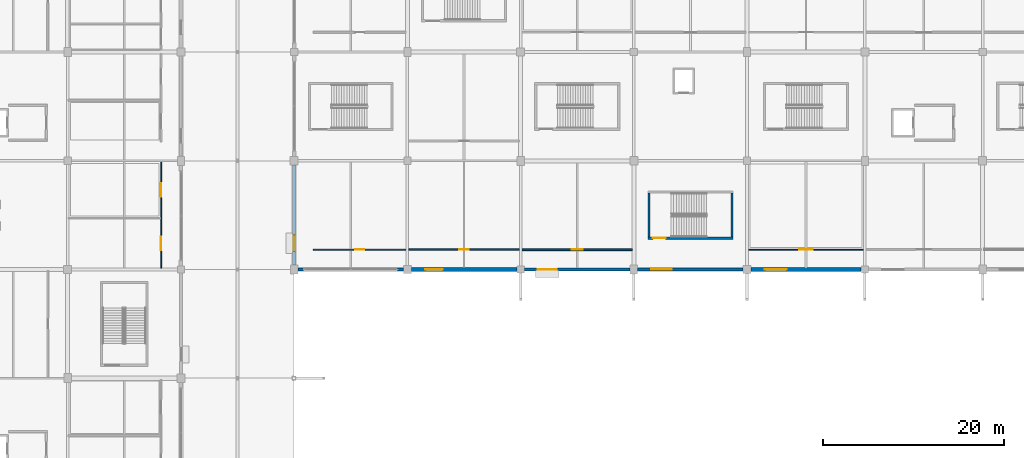
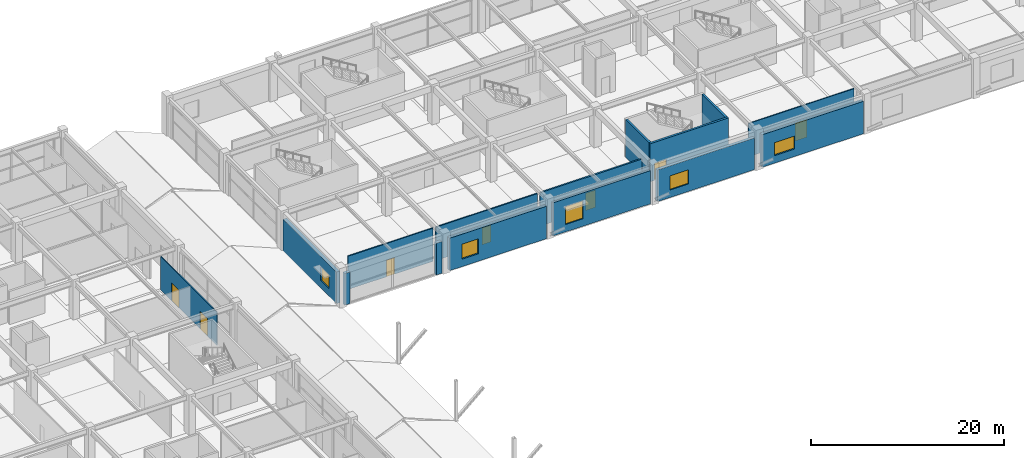
# One storey, part 72 of 116: 15 walls, 7 doors, 5 windows, 12 openings.
"""IFC4 building model written with IfcOpenShell, lengths in metres."""

import ifcopenshell
import ifcopenshell.guid

model = None  # the IFC model being written
_history = None  # IfcOwnerHistory: only IFC2X3 demands one
_inside = {}  # id of a spatial element -> (the spatial element, [elements in it])
_under = {}  # id of a project, library or spatial element -> (it, [spatial elements below it])
_declared = {}  # id of a project -> (the project, [libraries it declares])
_typed = {}  # id of a type object -> (the type object, [elements of that type])
_made_of = {}  # id of a material, layer set ... -> (it, [elements and type objects made of it])


def new_model(schema):
    """Start an empty IFC model of exactly this schema.

    Asked for "IFC4X3", IfcOpenShell would pick the latest addendum, in which some entities
    have other attributes; the version numbers below select the first issue.
    IFC2X3 requires an IfcOwnerHistory on every rooted entity: one is made here for all.
    """
    global model, _history
    if schema == "IFC4X3":
        model = ifcopenshell.file(schema_version=(4, 3, 0, 0))
    else:
        model = ifcopenshell.file(schema=schema)
    _inside.clear()
    _under.clear()
    _declared.clear()
    _typed.clear()
    _made_of.clear()
    _history = None
    if model.schema == "IFC2X3":
        org = make("IfcOrganization", Name="unknown")
        user = make(
            "IfcPersonAndOrganization",
            ThePerson=make("IfcPerson", FamilyName="unknown"),
            TheOrganization=org,
        )
        app = make(
            "IfcApplication",
            ApplicationDeveloper=org,
            Version="unknown",
            ApplicationFullName="unknown",
            ApplicationIdentifier="unknown",
        )
        _history = make(
            "IfcOwnerHistory",
            OwningUser=user,
            OwningApplication=app,
            ChangeAction="ADDED",
            CreationDate=0,
        )
    return model


def make(cls, **values):
    """One entity of the class cls with the attributes given. An attribute that is None is left unset."""
    return model.create_entity(
        cls, **{name: value for name, value in values.items() if value is not None}
    )


def rooted(cls, **values):
    """An entity with a GlobalId (a new one), such as an element, a storey or a relation."""
    return make(cls, GlobalId=ifcopenshell.guid.new(), OwnerHistory=_history, **values)


def si_unit(unit_type, name, prefix=None):
    """IfcSIUnit, for example si_unit("LENGTHUNIT", "METRE", prefix="MILLI")."""
    return make("IfcSIUnit", UnitType=unit_type, Prefix=prefix, Name=name)


def assignment(units):
    """IfcUnitAssignment: the units of a project."""
    return None if units is None else make("IfcUnitAssignment", Units=units)


def point(xyz):
    """IfcCartesianPoint."""
    return None if xyz is None else make("IfcCartesianPoint", Coordinates=xyz)


def direction(xyz):
    """IfcDirection."""
    return None if xyz is None else make("IfcDirection", DirectionRatios=xyz)


def frame(location, z_axis=None, x_axis=None):
    """IfcAxis2Placement3D, a coordinate frame: its origin and axes. An axis left out is left unset."""
    return make(
        "IfcAxis2Placement3D",
        Location=point(location),
        Axis=direction(z_axis),
        RefDirection=direction(x_axis),
    )


def frame_2d(location, x_axis=None):
    """IfcAxis2Placement2D, a coordinate frame in the plane: its origin and x axis."""
    return make(
        "IfcAxis2Placement2D", Location=point(location), RefDirection=direction(x_axis)
    )


def origin():
    """The frame at (0, 0, 0) with its axes left unset."""
    return frame((0.0, 0.0, 0.0))


def place(relative_to, where):
    """IfcLocalPlacement: puts the frame where relative to a parent placement (None: the world)."""
    return make(
        "IfcLocalPlacement", PlacementRelTo=relative_to, RelativePlacement=where
    )


def context(
    kind, dimensions, precision=None, world=None, true_north=None, identifier=None
):
    """IfcGeometricRepresentationContext, for example the 3D "Model" context."""
    return make(
        "IfcGeometricRepresentationContext",
        ContextIdentifier=identifier,
        ContextType=kind,
        CoordinateSpaceDimension=dimensions,
        Precision=precision,
        WorldCoordinateSystem=world,
        TrueNorth=true_north,
    )


def subcontext(parent, identifier, kind, view, scale=None):
    """IfcGeometricRepresentationSubContext, for example "Body" below "Model"."""
    return make(
        "IfcGeometricRepresentationSubContext",
        ContextIdentifier=identifier,
        ContextType=kind,
        ParentContext=parent,
        TargetScale=scale,
        TargetView=view,
    )


def project(units=None, contexts=None):
    """IfcProject with its units and contexts."""
    return rooted(
        "IfcProject",
        Name="project",
        RepresentationContexts=contexts,
        UnitsInContext=assignment(units),
    )


def spatial(cls, under=None, at=None, **own):
    """A site, building, storey or space (cls), placed at a placement, below another one or the project."""
    s = rooted(cls, ObjectPlacement=at, **own)
    if under is not None:
        _under.setdefault(under.id(), (under, []))[1].append(s)
    return s


def profile(cls, at=None, kind="AREA", **sizes):
    """A parametric profile (cls). Its sizes go by their IFC names, for example OverallWidth=200.0."""
    return make(cls, ProfileType=kind, Position=at, **sizes)


def rectangle(**sizes):
    """IfcRectangleProfileDef."""
    return profile("IfcRectangleProfileDef", **sizes)


def extrude(swept, where, along, depth):
    """IfcExtrudedAreaSolid: the profile swept, set in the frame where, extruded along a direction by depth."""
    return make(
        "IfcExtrudedAreaSolid",
        SweptArea=swept,
        Position=where,
        ExtrudedDirection=direction(along),
        Depth=depth,
    )


def shape(context_of_items, identifier, shape_type, items):
    """IfcShapeRepresentation: the items that make up one representation, for example the "Body"."""
    return make(
        "IfcShapeRepresentation",
        ContextOfItems=context_of_items,
        RepresentationIdentifier=identifier,
        RepresentationType=shape_type,
        Items=items,
    )


def material(Name=None, Category=None):
    """IfcMaterial."""
    return make("IfcMaterial", Name=Name, Category=Category)


def layer(
    of_material, thickness, ventilated=None, Name=None, Category=None, Priority=None
):
    """IfcMaterialLayer: one layer of a wall or slab, of a material (None: an air gap)."""
    return make(
        "IfcMaterialLayer",
        Material=of_material,
        LayerThickness=thickness,
        IsVentilated=ventilated,
        Name=Name,
        Category=Category,
        Priority=Priority,
    )


def layer_set(layers, Name=None):
    """IfcMaterialLayerSet."""
    return make("IfcMaterialLayerSet", MaterialLayers=layers, LayerSetName=Name)


def made_of(thing, what):
    """Note that an element or type object is made of a material, layer set ...; save() writes the relation."""
    if what is not None:
        _made_of.setdefault(what.id(), (what, []))[1].append(thing)
    return thing


def type_object(cls, material=None, **own):
    """A type object (cls), such as IfcWallType, which elements share."""
    return made_of(rooted(cls, **own), material)


def element(
    cls,
    number,
    at=None,
    inside=None,
    cuts=None,
    type_object=None,
    material=None,
    context=None,
    identifier="Body",
    shape_type=None,
    held_by="IfcProductDefinitionShape",
    body=None,
    shapes=None,
    **own,
):
    """One element of the class cls, such as IfcWall. Its Tag is "e" and its number.

    at: its placement. inside: the storey or other place that contains it. cuts: it is an
    opening in that element (IfcRelVoidsElement). A single representation is given by context,
    identifier, shape_type and body (its items); several are given by shapes. held_by: the class
    of the entity that holds the representations. save() writes the other relations.
    """
    e = rooted(cls, Tag="e%d" % number, ObjectPlacement=at, **own)
    if body is not None:
        shapes = [shape(context, identifier, shape_type, body)]
    if shapes is not None:
        e.Representation = make(held_by, Representations=shapes)
    if inside is not None:
        _inside.setdefault(inside.id(), (inside, []))[1].append(e)
    if cuts is not None:
        rooted(
            "IfcRelVoidsElement", RelatingBuildingElement=cuts, RelatedOpeningElement=e
        )
    if type_object is not None:
        _typed.setdefault(type_object.id(), (type_object, []))[1].append(e)
    return made_of(e, material)


def fill(opening, filler):
    """IfcRelFillsElement: the door or window that sits in an opening."""
    return rooted(
        "IfcRelFillsElement",
        RelatingOpeningElement=opening,
        RelatedBuildingElement=filler,
    )


def aggregate(whole, parts):
    """IfcRelAggregates: a whole, such as a stair, and the parts it consists of."""
    return rooted("IfcRelAggregates", RelatingObject=whole, RelatedObjects=parts)


def save(model, path):
    """Write the relations noted so far, then the file.

    IfcRelAggregates (storeys below a building ...), IfcRelContainedInSpatialStructure (elements
    in a storey), IfcRelDefinesByType, IfcRelAssociatesMaterial and IfcRelDeclares: one each for
    every whole, place, type object, material and project.
    """
    for whole, parts in _under.values():
        aggregate(whole, parts)
    for where, things in _inside.values():
        rooted(
            "IfcRelContainedInSpatialStructure",
            RelatedElements=things,
            RelatingStructure=where,
        )
    for kind, things in _typed.values():
        rooted("IfcRelDefinesByType", RelatedObjects=things, RelatingType=kind)
    for what, things in _made_of.values():
        rooted("IfcRelAssociatesMaterial", RelatedObjects=things, RelatingMaterial=what)
    for by, libraries in _declared.values():
        rooted("IfcRelDeclares", RelatingContext=by, RelatedDefinitions=libraries)
    model.write(path)


model = new_model("IFC4")

# Units and contexts
model_context = context("Model", 3, precision=1e-05, world=origin(), true_north=direction((0.0, 1.0)))
body_context = subcontext(model_context, "Body", "Model", "MODEL_VIEW")
ifc_project = project(units=[si_unit("LENGTHUNIT", "METRE"), si_unit("AREAUNIT", "SQUARE_METRE"), si_unit("VOLUMEUNIT", "CUBIC_METRE"), si_unit("PLANEANGLEUNIT", "RADIAN"), si_unit("MASSUNIT", "GRAM", prefix="KILO")], contexts=[model_context])

# Site, building, storey
site_placement = place(None, origin())
site = spatial("IfcSite", under=ifc_project, at=site_placement, CompositionType="ELEMENT")
building_placement = place(site_placement, origin())
building = spatial("IfcBuilding", under=site, at=building_placement, Name="Kazenohara Klinker Stadium", CompositionType="ELEMENT")
storey_placement = place(building_placement, frame((0.0, 0.0, 10.199951171875)))
storey = spatial("IfcBuildingStorey", under=building, at=storey_placement, Name="L02", CompositionType="ELEMENT", Elevation=10.199951171875)

# Wall, opening, door
ifc_material_1 = material(Name="Concrete C40/50", Category="concrete")
ifc_layer_1 = layer(ifc_material_1, 0.25)
ifc_layer_set_1 = layer_set([ifc_layer_1], Name="Concrete C40/50")
wall_type_1 = type_object("IfcWallType", Name="WAL-CORE-250", PredefinedType="SHEAR", material=ifc_layer_set_1)
wall_1_placement = place(storey_placement, frame((88.050048828125, 135.455078125, 0.0), z_axis=(0.0, 0.0, 1.0), x_axis=(1.0, 0.0, 0.0)))
wall_1 = element("IfcWall", 1, at=wall_1_placement, inside=storey, type_object=wall_type_1, Name="Stairwell shear wall ST19 L02 South", PredefinedType="SHEAR", context=body_context, shape_type="SweptSolid", body=[
    extrude(rectangle(XDim=9.39990234375, YDim=0.25, at=frame_2d((4.699951171875, 0.0))), origin(), (0.0, 0.0, 1.0), 4.820068359375),
])
opening_1_placement = place(wall_1_placement, frame((0.550048828125, 0.0, 0.0)))
opening_1 = element("IfcOpeningElement", 2, at=opening_1_placement, cuts=wall_1, Name="Opening SD01", PredefinedType="OPENING", context=body_context, shape_type="SweptSolid", body=[
    extrude(rectangle(XDim=1.39990234375, YDim=2.14990234375, at=frame_2d((0.699951171875, 1.074951171875))), frame((0.0, 0.135009765625, 0.0), z_axis=(0.0, -1.0, 0.0), x_axis=(1.0, 0.0, 0.0)), (0.0, 0.0, 1.0), 0.27001953125),
])
ifc_material_2 = material(Name="Flush painted steel fire door leaf", Category="steel")
door_type_1 = type_object("IfcDoorType", Name="DR-STR-1400x2150", OperationType="NOTDEFINED", PredefinedType="DOOR", material=ifc_material_2)
door_1_placement = place(opening_1_placement, origin())
door_1 = element("IfcDoor", 3, at=door_1_placement, inside=storey, type_object=door_type_1, Name="Escape stairwell fire door ST19-L02", OperationType="SINGLE_SWING_LEFT", OverallHeight=2.14990234375, OverallWidth=1.39990234375, PredefinedType="DOOR", context=body_context, shape_type="SweptSolid", body=[
    extrude(rectangle(XDim=1.39990234375, YDim=2.14990234375, at=frame_2d((0.699951171875, 1.074951171875))), frame((0.0, 0.02490234375, 0.0), z_axis=(0.0, -1.0, 0.0), x_axis=(1.0, 0.0, 0.0)), (0.0, 0.0, 1.0), 0.050048828125),
])
fill(opening_1, door_1)

# Walls
for number, where, z_axis, x_axis, name in (
    (4, (88.175048828125, 135.580078125, 0.0), (0.0, 0.0, 1.0), (0.0, 1.0, 0.0), "Stairwell shear wall ST19 L02 West"),
    (5, (97.324951171875, 135.580078125, 0.0), (0.0, 0.0, 1.0), (0.0, 1.0, 0.0), "Stairwell shear wall ST19 L02 East"),
):
    element("IfcWall", number, at=place(storey_placement, frame(where, z_axis=z_axis, x_axis=x_axis)), inside=storey, type_object=wall_type_1, Name=name, PredefinedType="SHEAR", context=body_context, shape_type="SweptSolid", body=[
        extrude(rectangle(XDim=4.83984375, YDim=0.25, at=frame_2d((2.419921875, 0.0))), origin(), (0.0, 0.0, 1.0), 4.820068359375),
    ])

# Wall, opening, window
ifc_material_3 = material(Name="Clinker brick masonry", Category="masonry")
ifc_layer_2 = layer(ifc_material_3, 0.280029296875)
ifc_layer_set_2 = layer_set([ifc_layer_2], Name="Clinker brick masonry")
wall_type_2 = type_object("IfcWallType", Name="WAL-EXT-CB280", PredefinedType="SOLIDWALL", material=ifc_layer_set_2)
wall_2_placement = place(storey_placement, frame((74.404052734375, 132.0, 0.0), z_axis=(0.0, 0.0, 1.0), x_axis=(1.0, 0.0, 0.0)))
wall_2 = element("IfcWall", 6, at=wall_2_placement, inside=storey, type_object=wall_type_2, Name="Clinker brick cavity wall EW06 L02 X6-11", PredefinedType="SOLIDWALL", context=body_context, shape_type="SweptSolid", body=[
    extrude(rectangle(XDim=11.69189453125, YDim=0.280029296875, at=frame_2d((5.845947265625, 0.0))), origin(), (0.0, 0.0, 1.0), 4.219970703125),
])
opening_2_placement = place(wall_2_placement, frame((1.5, 0.0, 0.949951171875)))
opening_2 = element("IfcOpeningElement", 7, at=opening_2_placement, cuts=wall_2, Name="Opening W19", PredefinedType="OPENING", context=body_context, shape_type="SweptSolid", body=[
    extrude(rectangle(XDim=2.10009765625, YDim=2.25, at=frame_2d((1.050048828125, 1.125))), frame((0.0, 0.14990234375, 0.0), z_axis=(0.0, -1.0, 0.0), x_axis=(1.0, 0.0, 0.0)), (0.0, 0.0, 1.0), 0.300048828125),
])
ifc_material_4 = material(Name="Dark bronze aluminium frame and triple glazing", Category="aluminium")
window_type_1 = type_object("IfcWindowType", Name="WIN-AS-19", PartitioningType="SINGLE_PANEL", PredefinedType="WINDOW", material=ifc_material_4)
window_1_placement = place(opening_2_placement, origin())
window_1 = element("IfcWindow", 8, at=window_1_placement, inside=storey, type_object=window_type_1, Name="Horizontal-mullion ladder window W19 L02 X6-11", OverallHeight=2.25, OverallWidth=2.10009765625, PartitioningType="SINGLE_PANEL", PredefinedType="WINDOW", context=body_context, shape_type="SweptSolid", body=[
    extrude(rectangle(XDim=2.10009765625, YDim=2.25, at=frame_2d((1.050048828125, 1.125))), frame((0.0, 0.030029296875, 0.0), z_axis=(0.0, -1.0, 0.0), x_axis=(1.0, 0.0, 0.0)), (0.0, 0.0, 1.0), 0.06005859375),
])
fill(opening_2, window_1)

ifc_layer_3 = layer(ifc_material_3, 0.340087890625)
ifc_layer_set_3 = layer_set([ifc_layer_3], Name="Clinker brick masonry")
wall_type_3 = type_object("IfcWallType", Name="WAL-EXT-CB340", PredefinedType="SOLIDWALL", material=ifc_layer_set_3)
wall_3_placement = place(storey_placement, frame((86.904052734375, 132.0, 0.0), z_axis=(0.0, 0.0, 1.0), x_axis=(1.0, 0.0, 0.0)))
wall_3 = element("IfcWall", 9, at=wall_3_placement, inside=storey, type_object=wall_type_3, Name="Clinker brick cavity wall EW04 L02 X7-11", PredefinedType="SOLIDWALL", context=body_context, shape_type="SweptSolid", body=[
    extrude(rectangle(XDim=11.641845703125, YDim=0.340087890625, at=frame_2d((5.82080078125, 0.0))), origin(), (0.0, 0.0, 1.0), 4.02001953125),
])
opening_3_placement = place(wall_3_placement, frame((1.5, 0.0, 0.949951171875)))
opening_3 = element("IfcOpeningElement", 10, at=opening_3_placement, cuts=wall_3, Name="Opening W21", PredefinedType="OPENING", context=body_context, shape_type="SweptSolid", body=[
    extrude(rectangle(XDim=2.25, YDim=1.800048828125, at=frame_2d((1.125, 0.89990234375))), frame((0.0, 0.18017578125, 0.0), z_axis=(0.0, -1.0, 0.0), x_axis=(1.0, 0.0, 0.0)), (0.0, 0.0, 1.0), 0.360107421875),
])
window_type_2 = type_object("IfcWindowType", Name="WIN-AS-21", PartitioningType="SINGLE_PANEL", PredefinedType="WINDOW", material=ifc_material_4)
window_2_placement = place(opening_3_placement, origin())
window_2 = element("IfcWindow", 11, at=window_2_placement, inside=storey, type_object=window_type_2, Name="Horizontal-mullion ladder window W21 L02 X7-11", OverallHeight=1.800048828125, OverallWidth=2.25, PartitioningType="SINGLE_PANEL", PredefinedType="WINDOW", context=body_context, shape_type="SweptSolid", body=[
    extrude(rectangle(XDim=2.25, YDim=1.800048828125, at=frame_2d((1.125, 0.89990234375))), frame((0.0, 0.030029296875, 0.0), z_axis=(0.0, -1.0, 0.0), x_axis=(1.0, 0.0, 0.0)), (0.0, 0.0, 1.0), 0.06005859375),
])
fill(opening_3, window_2)

# Walls
ifc_layer_4 = layer(ifc_material_3, 0.3701171875)
ifc_layer_set_4 = layer_set([ifc_layer_4], Name="Clinker brick masonry")
wall_type_4 = type_object("IfcWallType", Name="WAL-EXT-CB370", PredefinedType="SOLIDWALL", material=ifc_layer_set_4)
for number, where, z_axis, x_axis, name in (
    (12, (49.404052734375, 132.0, 0.0), (0.0, 0.0, 1.0), (1.0, 0.0, 0.0), "Clinker brick curtain-wall jamb pier L02 X4-11 A"),
    (13, (60.39599609375, 132.0, 0.0), (0.0, 0.0, 1.0), (1.0, 0.0, 0.0), "Clinker brick curtain-wall jamb pier L02 X4-11 B"),
):
    element("IfcWall", number, at=place(storey_placement, frame(where, z_axis=z_axis, x_axis=x_axis)), inside=storey, type_object=wall_type_4, Name=name, PredefinedType="SOLIDWALL", context=body_context, shape_type="SweptSolid", body=[
        extrude(rectangle(XDim=0.64990234375, YDim=0.3701171875, at=frame_2d((0.324951171875, 0.0))), origin(), (0.0, 0.0, 1.0), 4.02001953125),
    ])

# Wall, opening, window
ifc_layer_5 = layer(ifc_material_3, 0.409912109375)
ifc_layer_set_5 = layer_set([ifc_layer_5], Name="Clinker brick masonry")
wall_type_5 = type_object("IfcWallType", Name="WAL-EXT-CB410", PredefinedType="SOLIDWALL", material=ifc_layer_set_5)
wall_4_placement = place(storey_placement, frame((49.0, 132.50390625, 0.0), z_axis=(0.0, 0.0, 1.0), x_axis=(0.0, 1.0, 0.0)))
wall_4 = element("IfcWall", 14, at=wall_4_placement, inside=storey, type_object=wall_type_5, Name="Clinker brick cavity wall EW02 L02 Y4-11", PredefinedType="SOLIDWALL", context=body_context, shape_type="SweptSolid", body=[
    extrude(rectangle(XDim=11.0419921875, YDim=0.409912109375, at=frame_2d((5.52099609375, 0.0))), origin(), (0.0, 0.0, 1.0), 4.02001953125),
])
opening_4_placement = place(wall_4_placement, frame((1.5, 0.0, 0.949951171875)))
opening_4 = element("IfcOpeningElement", 15, at=opening_4_placement, cuts=wall_4, Name="Opening W13", PredefinedType="OPENING", context=body_context, shape_type="SweptSolid", body=[
    extrude(rectangle(XDim=1.800048828125, YDim=1.75, at=frame_2d((0.89990234375, 0.875))), frame((0.0, 0.21484375, 0.0), z_axis=(0.0, -1.0, 0.0), x_axis=(1.0, 0.0, 0.0)), (0.0, 0.0, 1.0), 0.429931640625),
])
window_type_3 = type_object("IfcWindowType", Name="WIN-AS-13", PartitioningType="SINGLE_PANEL", PredefinedType="WINDOW", material=ifc_material_4)
window_3_placement = place(opening_4_placement, origin())
window_3 = element("IfcWindow", 16, at=window_3_placement, inside=storey, type_object=window_type_3, Name="Horizontal-mullion ladder window W13 L02 Y4-11", OverallHeight=1.75, OverallWidth=1.800048828125, PartitioningType="SINGLE_PANEL", PredefinedType="WINDOW", context=body_context, shape_type="SweptSolid", body=[
    extrude(rectangle(XDim=1.800048828125, YDim=1.75, at=frame_2d((0.89990234375, 0.875))), frame((0.0, 0.030029296875, 0.0), z_axis=(0.0, -1.0, 0.0), x_axis=(1.0, 0.0, 0.0)), (0.0, 0.0, 1.0), 0.06005859375),
])
fill(opening_4, window_3)

wall_5_placement = place(storey_placement, frame((61.9541015625, 132.0, 0.0), z_axis=(0.0, 0.0, 1.0), x_axis=(1.0, 0.0, 0.0)))
wall_5 = element("IfcWall", 17, at=wall_5_placement, inside=storey, type_object=wall_type_5, Name="Clinker brick cavity wall EW02 L02 X5-11", PredefinedType="SOLIDWALL", context=body_context, shape_type="SweptSolid", body=[
    extrude(rectangle(XDim=11.641845703125, YDim=0.409912109375, at=frame_2d((5.82080078125, 0.0))), origin(), (0.0, 0.0, 1.0), 4.1201171875),
])
opening_5_placement = place(wall_5_placement, frame((1.5, 0.0, 0.949951171875)))
opening_5 = element("IfcOpeningElement", 18, at=opening_5_placement, cuts=wall_5, Name="Opening W16", PredefinedType="OPENING", context=body_context, shape_type="SweptSolid", body=[
    extrude(rectangle(XDim=1.949951171875, YDim=1.89990234375, at=frame_2d((0.97509765625, 0.949951171875))), frame((0.0, 0.21484375, 0.0), z_axis=(0.0, -1.0, 0.0), x_axis=(1.0, 0.0, 0.0)), (0.0, 0.0, 1.0), 0.429931640625),
])
window_type_4 = type_object("IfcWindowType", Name="WIN-AS-16", PartitioningType="SINGLE_PANEL", PredefinedType="WINDOW", material=ifc_material_4)
window_4_placement = place(opening_5_placement, origin())
window_4 = element("IfcWindow", 19, at=window_4_placement, inside=storey, type_object=window_type_4, Name="Horizontal-mullion ladder window W16 L02 X5-11", OverallHeight=1.89990234375, OverallWidth=1.949951171875, PartitioningType="SINGLE_PANEL", PredefinedType="WINDOW", context=body_context, shape_type="SweptSolid", body=[
    extrude(rectangle(XDim=1.949951171875, YDim=1.89990234375, at=frame_2d((0.97509765625, 0.949951171875))), frame((0.0, 0.030029296875, 0.0), z_axis=(0.0, -1.0, 0.0), x_axis=(1.0, 0.0, 0.0)), (0.0, 0.0, 1.0), 0.06005859375),
])
fill(opening_5, window_4)

wall_6_placement = place(storey_placement, frame((99.4541015625, 132.0, 0.0), z_axis=(0.0, 0.0, 1.0), x_axis=(1.0, 0.0, 0.0)))
wall_6 = element("IfcWall", 20, at=wall_6_placement, inside=storey, type_object=wall_type_5, Name="Clinker brick cavity wall EW02 L02 X8-11", PredefinedType="SOLIDWALL", context=body_context, shape_type="SweptSolid", body=[
    extrude(rectangle(XDim=12.141845703125, YDim=0.409912109375, at=frame_2d((6.07080078125, 0.0))), origin(), (0.0, 0.0, 1.0), 4.1201171875),
])
opening_6_placement = place(wall_6_placement, frame((1.5, 0.0, 0.949951171875)))
opening_6 = element("IfcOpeningElement", 21, at=opening_6_placement, cuts=wall_6, Name="Opening W23", PredefinedType="OPENING", context=body_context, shape_type="SweptSolid", body=[
    extrude(rectangle(XDim=2.39990234375, YDim=1.64990234375, at=frame_2d((1.199951171875, 0.824951171875))), frame((0.0, 0.21484375, 0.0), z_axis=(0.0, -1.0, 0.0), x_axis=(1.0, 0.0, 0.0)), (0.0, 0.0, 1.0), 0.429931640625),
])
window_type_5 = type_object("IfcWindowType", Name="WIN-AS-23", PartitioningType="SINGLE_PANEL", PredefinedType="WINDOW", material=ifc_material_4)
window_5_placement = place(opening_6_placement, origin())
window_5 = element("IfcWindow", 22, at=window_5_placement, inside=storey, type_object=window_type_5, Name="Horizontal-mullion ladder window W23 L02 X8-11", OverallHeight=1.64990234375, OverallWidth=2.39990234375, PartitioningType="SINGLE_PANEL", PredefinedType="WINDOW", context=body_context, shape_type="SweptSolid", body=[
    extrude(rectangle(XDim=2.39990234375, YDim=1.64990234375, at=frame_2d((1.199951171875, 0.824951171875))), frame((0.0, 0.030029296875, 0.0), z_axis=(0.0, -1.0, 0.0), x_axis=(1.0, 0.0, 0.0)), (0.0, 0.0, 1.0), 0.06005859375),
])
fill(opening_6, window_5)

# Wall, openings, doors
ifc_material_5 = material(Name="Fire-rated gypsum board on acoustic studs", Category="gypsum")
ifc_layer_6 = layer(ifc_material_5, 0.110107421875)
ifc_layer_set_6 = layer_set([ifc_layer_6], Name="Fire-rated gypsum board on acoustic studs")
wall_type_6 = type_object("IfcWallType", Name="WAL-INT-P110", PredefinedType="PARTITIONING", material=ifc_layer_set_6)
wall_7_placement = place(storey_placement, frame((34.31005859375, 132.159912109375, 0.0), z_axis=(0.0, 0.0, 1.0), x_axis=(0.0, 1.0, 0.0)))
wall_7 = element("IfcWall", 23, at=wall_7_placement, inside=storey, type_object=wall_type_6, Name="Interior partition wall PT01 SPC-L02-02-11-1-1", PredefinedType="PARTITIONING", context=body_context, shape_type="SweptSolid", body=[
    extrude(rectangle(XDim=11.68017578125, YDim=0.110107421875, at=frame_2d((5.840087890625, 0.0))), origin(), (0.0, 0.0, 1.0), 4.219970703125),
])
opening_7_placement = place(wall_7_placement, frame((1.96484375, 0.0, 0.0)))
opening_7 = element("IfcOpeningElement", 24, at=opening_7_placement, cuts=wall_7, Name="Opening ID20", PredefinedType="OPENING", context=body_context, shape_type="SweptSolid", body=[
    extrude(rectangle(XDim=1.47998046875, YDim=2.239990234375, at=frame_2d((0.739990234375, 1.1201171875))), frame((0.0, 0.06494140625, 0.0), z_axis=(0.0, -1.0, 0.0), x_axis=(1.0, 0.0, 0.0)), (0.0, 0.0, 1.0), 0.130126953125),
])
opening_8_placement = place(wall_7_placement, frame((7.86474609375, 0.0, 0.0)))
opening_8 = element("IfcOpeningElement", 25, at=opening_8_placement, cuts=wall_7, Name="Opening ID21", PredefinedType="OPENING", context=body_context, shape_type="SweptSolid", body=[
    extrude(rectangle(XDim=1.52001953125, YDim=2.280029296875, at=frame_2d((0.760009765625, 1.14013671875))), frame((0.0, 0.06494140625, 0.0), z_axis=(0.0, -1.0, 0.0), x_axis=(1.0, 0.0, 0.0)), (0.0, 0.0, 1.0), 0.130126953125),
])
ifc_material_6 = material(Name="Painted steel plant fire door", Category="steel")
door_type_2 = type_object("IfcDoorType", Name="DR-INT-20", OperationType="NOTDEFINED", PredefinedType="DOOR", material=ifc_material_6)
door_2_placement = place(opening_7_placement, origin())
door_2 = element("IfcDoor", 26, at=door_2_placement, inside=storey, type_object=door_type_2, Name="Interior door ID20 Club Reception Dining Lounge L02-0211A", OperationType="SINGLE_SWING_LEFT", OverallHeight=2.239990234375, OverallWidth=1.47998046875, PredefinedType="DOOR", context=body_context, shape_type="SweptSolid", body=[
    extrude(rectangle(XDim=1.47998046875, YDim=2.239990234375, at=frame_2d((0.739990234375, 1.1201171875))), frame((0.0, 0.02490234375, 0.0), z_axis=(0.0, -1.0, 0.0), x_axis=(1.0, 0.0, 0.0)), (0.0, 0.0, 1.0), 0.050048828125),
])
fill(opening_7, door_2)
door_type_3 = type_object("IfcDoorType", Name="DR-INT-21", OperationType="NOTDEFINED", PredefinedType="DOOR", material=ifc_material_6)
door_3_placement = place(opening_8_placement, origin())
door_3 = element("IfcDoor", 27, at=door_3_placement, inside=storey, type_object=door_type_3, Name="Interior door ID21 Corporate Hospitality Viewing Suite L02-0211B", OperationType="SINGLE_SWING_RIGHT", OverallHeight=2.280029296875, OverallWidth=1.52001953125, PredefinedType="DOOR", context=body_context, shape_type="SweptSolid", body=[
    extrude(rectangle(XDim=1.52001953125, YDim=2.280029296875, at=frame_2d((0.760009765625, 1.14013671875))), frame((0.0, 0.02490234375, 0.0), z_axis=(0.0, -1.0, 0.0), x_axis=(1.0, 0.0, 0.0)), (0.0, 0.0, 1.0), 0.050048828125),
])
fill(opening_8, door_3)

# Wall, opening, door
ifc_layer_7 = layer(ifc_material_5, 0.1201171875)
ifc_layer_set_7 = layer_set([ifc_layer_7], Name="Fire-rated gypsum board on acoustic studs")
wall_type_7 = type_object("IfcWallType", Name="WAL-INT-P120", PredefinedType="PARTITIONING", material=ifc_layer_set_7)
wall_8_placement = place(storey_placement, frame((99.159912109375, 134.18994140625, 0.0), z_axis=(0.0, 0.0, 1.0), x_axis=(1.0, 0.0, 0.0)))
wall_8 = element("IfcWall", 28, at=wall_8_placement, inside=storey, type_object=wall_type_7, Name="Interior partition wall PT02 SPC-L02-08-11-1-1", PredefinedType="PARTITIONING", context=body_context, shape_type="SweptSolid", body=[
    extrude(rectangle(XDim=12.68017578125, YDim=0.1201171875, at=frame_2d((6.340087890625, 0.0))), origin(), (0.0, 0.0, 1.0), 4.219970703125),
])
opening_9_placement = place(wall_8_placement, frame((5.6201171875, 0.0, 0.0)))
opening_9 = element("IfcOpeningElement", 29, at=opening_9_placement, cuts=wall_8, Name="Opening ID19", PredefinedType="OPENING", context=body_context, shape_type="SweptSolid", body=[
    extrude(rectangle(XDim=1.43994140625, YDim=2.260009765625, at=frame_2d((0.719970703125, 1.1298828125))), frame((0.0, 0.070068359375, 0.0), z_axis=(0.0, -1.0, 0.0), x_axis=(1.0, 0.0, 0.0)), (0.0, 0.0, 1.0), 0.14013671875),
])
door_type_4 = type_object("IfcDoorType", Name="DR-INT-19", OperationType="NOTDEFINED", PredefinedType="DOOR", material=ifc_material_6)
door_4_placement = place(opening_9_placement, origin())
door_4 = element("IfcDoor", 30, at=door_4_placement, inside=storey, type_object=door_type_4, Name="Interior door ID19 Founders Club Hospitality Lounge L02-0811A", OperationType="SINGLE_SWING_RIGHT", OverallHeight=2.260009765625, OverallWidth=1.43994140625, PredefinedType="DOOR", context=body_context, shape_type="SweptSolid", body=[
    extrude(rectangle(XDim=1.43994140625, YDim=2.260009765625, at=frame_2d((0.719970703125, 1.1298828125))), frame((0.0, 0.02490234375, 0.0), z_axis=(0.0, -1.0, 0.0), x_axis=(1.0, 0.0, 0.0)), (0.0, 0.0, 1.0), 0.050048828125),
])
fill(opening_9, door_4)

ifc_layer_8 = layer(ifc_material_5, 0.139892578125)
ifc_layer_set_8 = layer_set([ifc_layer_8], Name="Fire-rated gypsum board on acoustic studs")
wall_type_8 = type_object("IfcWallType", Name="WAL-INT-P140", PredefinedType="PARTITIONING", material=ifc_layer_set_8)
wall_9_placement = place(storey_placement, frame((51.1201171875, 134.18994140625, 0.0), z_axis=(0.0, 0.0, 1.0), x_axis=(1.0, 0.0, 0.0)))
wall_9 = element("IfcWall", 31, at=wall_9_placement, inside=storey, type_object=wall_type_8, Name="Interior partition wall PT03 SPC-L02-04-11-1-1", PredefinedType="PARTITIONING", context=body_context, shape_type="SweptSolid", body=[
    extrude(rectangle(XDim=10.219970703125, YDim=0.139892578125, at=frame_2d((5.10986328125, 0.0))), origin(), (0.0, 0.0, 1.0), 4.219970703125),
])
opening_10_placement = place(wall_9_placement, frame((4.6201171875, 0.0, 0.0)))
opening_10 = element("IfcOpeningElement", 32, at=opening_10_placement, cuts=wall_9, Name="Opening ID04", PredefinedType="OPENING", context=body_context, shape_type="SweptSolid", body=[
    extrude(rectangle(XDim=0.97998046875, YDim=2.10009765625, at=frame_2d((0.489990234375, 1.050048828125))), frame((0.0, 0.080078125, 0.0), z_axis=(0.0, -1.0, 0.0), x_axis=(1.0, 0.0, 0.0)), (0.0, 0.0, 1.0), 0.159912109375),
])
ifc_material_7 = material(Name="Solid-core Hokkaido oak fire door", Category="wood")
door_type_5 = type_object("IfcDoorType", Name="DR-INT-04", OperationType="NOTDEFINED", PredefinedType="DOOR", material=ifc_material_7)
door_5_placement = place(opening_10_placement, origin())
door_5 = element("IfcDoor", 33, at=door_5_placement, inside=storey, type_object=door_type_5, Name="Interior door ID04 Club Level Sommelier Wine Bar L02-0411A", OperationType="SINGLE_SWING_LEFT", OverallHeight=2.10009765625, OverallWidth=0.97998046875, PredefinedType="DOOR", context=body_context, shape_type="SweptSolid", body=[
    extrude(rectangle(XDim=0.97998046875, YDim=2.10009765625, at=frame_2d((0.489990234375, 1.050048828125))), frame((0.0, 0.02490234375, 0.0), z_axis=(0.0, -1.0, 0.0), x_axis=(1.0, 0.0, 0.0)), (0.0, 0.0, 1.0), 0.050048828125),
])
fill(opening_10, door_5)

ifc_layer_9 = layer(ifc_material_5, 0.14990234375)
ifc_layer_set_9 = layer_set([ifc_layer_9], Name="Fire-rated gypsum board on acoustic studs")
wall_type_9 = type_object("IfcWallType", Name="WAL-INT-P150", PredefinedType="PARTITIONING", material=ifc_layer_set_9)
wall_10_placement = place(storey_placement, frame((61.659912109375, 134.18994140625, 0.0), z_axis=(0.0, 0.0, 1.0), x_axis=(1.0, 0.0, 0.0)))
wall_10 = element("IfcWall", 34, at=wall_10_placement, inside=storey, type_object=wall_type_9, Name="Interior partition wall PT04 SPC-L02-05-11-1-1", PredefinedType="PARTITIONING", context=body_context, shape_type="SweptSolid", body=[
    extrude(rectangle(XDim=12.18017578125, YDim=0.14990234375, at=frame_2d((6.090087890625, 0.0))), origin(), (0.0, 0.0, 1.0), 4.219970703125),
])
opening_11_placement = place(wall_10_placement, frame((5.56005859375, 0.0, 0.0)))
opening_11 = element("IfcOpeningElement", 35, at=opening_11_placement, cuts=wall_10, Name="Opening ID07", PredefinedType="OPENING", context=body_context, shape_type="SweptSolid", body=[
    extrude(rectangle(XDim=1.06005859375, YDim=2.14990234375, at=frame_2d((0.530029296875, 1.074951171875))), frame((0.0, 0.0849609375, 0.0), z_axis=(0.0, -1.0, 0.0), x_axis=(1.0, 0.0, 0.0)), (0.0, 0.0, 1.0), 0.169921875),
])
door_type_6 = type_object("IfcDoorType", Name="DR-INT-07", OperationType="NOTDEFINED", PredefinedType="DOOR", material=ifc_material_7)
door_6_placement = place(opening_11_placement, origin())
door_6 = element("IfcDoor", 36, at=door_6_placement, inside=storey, type_object=door_type_6, Name="Interior door ID07 Civic Sports Archive Reading Room L02-0511A", OperationType="SINGLE_SWING_RIGHT", OverallHeight=2.14990234375, OverallWidth=1.06005859375, PredefinedType="DOOR", context=body_context, shape_type="SweptSolid", body=[
    extrude(rectangle(XDim=1.06005859375, YDim=2.14990234375, at=frame_2d((0.530029296875, 1.074951171875))), frame((0.0, 0.02490234375, 0.0), z_axis=(0.0, -1.0, 0.0), x_axis=(1.0, 0.0, 0.0)), (0.0, 0.0, 1.0), 0.050048828125),
])
fill(opening_11, door_6)

ifc_layer_10 = layer(ifc_material_5, 0.18994140625)
ifc_layer_set_10 = layer_set([ifc_layer_10], Name="Fire-rated gypsum board on acoustic studs")
wall_type_10 = type_object("IfcWallType", Name="WAL-INT-P190", PredefinedType="PARTITIONING", material=ifc_layer_set_10)
wall_11_placement = place(storey_placement, frame((74.159912109375, 134.18994140625, 0.0), z_axis=(0.0, 0.0, 1.0), x_axis=(1.0, 0.0, 0.0)))
wall_11 = element("IfcWall", 37, at=wall_11_placement, inside=storey, type_object=wall_type_10, Name="Interior partition wall PT06 SPC-L02-06-11-1-1", PredefinedType="PARTITIONING", context=body_context, shape_type="SweptSolid", body=[
    extrude(rectangle(XDim=12.18017578125, YDim=0.18994140625, at=frame_2d((6.090087890625, 0.0))), origin(), (0.0, 0.0, 1.0), 4.219970703125),
])
opening_12_placement = place(wall_11_placement, frame((5.5, 0.0, 0.0)))
opening_12 = element("IfcOpeningElement", 38, at=opening_12_placement, cuts=wall_11, Name="Opening ID11", PredefinedType="OPENING", context=body_context, shape_type="SweptSolid", body=[
    extrude(rectangle(XDim=1.179931640625, YDim=2.199951171875, at=frame_2d((0.58984375, 1.10009765625))), frame((0.0, 0.10498046875, 0.0), z_axis=(0.0, -1.0, 0.0), x_axis=(1.0, 0.0, 0.0)), (0.0, 0.0, 1.0), 0.2099609375),
])
door_type_7 = type_object("IfcDoorType", Name="DR-INT-11", OperationType="NOTDEFINED", PredefinedType="DOOR", material=ifc_material_7)
door_7_placement = place(opening_12_placement, origin())
door_7 = element("IfcDoor", 39, at=door_7_placement, inside=storey, type_object=door_type_7, Name="Interior door ID11 Club Level Sommelier Wine Bar L02-0611A", OperationType="SINGLE_SWING_RIGHT", OverallHeight=2.199951171875, OverallWidth=1.179931640625, PredefinedType="DOOR", context=body_context, shape_type="SweptSolid", body=[
    extrude(rectangle(XDim=1.179931640625, YDim=2.199951171875, at=frame_2d((0.58984375, 1.10009765625))), frame((0.0, 0.02490234375, 0.0), z_axis=(0.0, -1.0, 0.0), x_axis=(1.0, 0.0, 0.0)), (0.0, 0.0, 1.0), 0.050048828125),
])
fill(opening_12, door_7)

save(model, "model.ifc")
